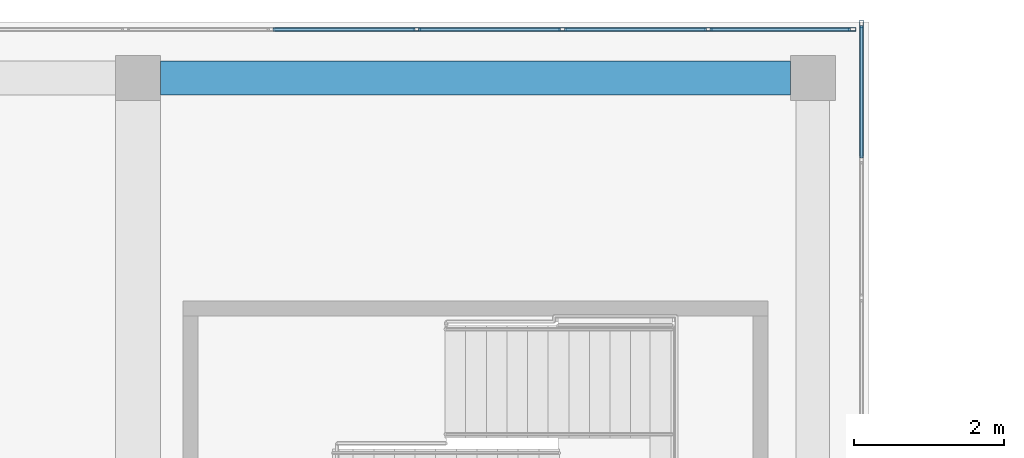
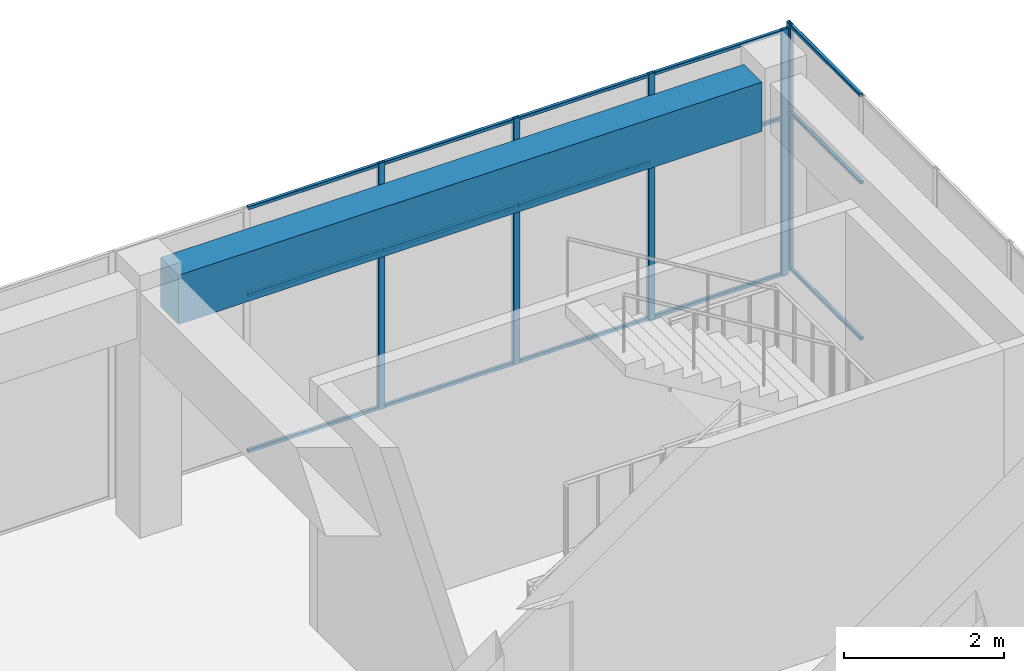
# One storey, part 28 of 35: 20 members, 1 beam, 2 elements without a shape of their own.
"""IFC4 building model written with IfcOpenShell, lengths in metres."""

from ifc_helpers import new_model, si_unit, direction, frame, origin, origin_2d, place, context, subcontext, project, spatial, rectangle, hollow_rectangle, extrude, material, layer, layer_set, material_profile, profile_set, type_object, element, aggregate, save


model = new_model("IFC4")

# Units and contexts
model_context = context("Model", 3, precision=1e-05, world=origin(), true_north=direction((0.0, 1.0)))
body_context = subcontext(model_context, "Body", "Model", "MODEL_VIEW")
ifc_project = project(units=[si_unit("LENGTHUNIT", "METRE"), si_unit("AREAUNIT", "SQUARE_METRE"), si_unit("VOLUMEUNIT", "CUBIC_METRE"), si_unit("PLANEANGLEUNIT", "RADIAN"), si_unit("MASSUNIT", "GRAM", prefix="KILO")], contexts=[model_context])

# Site, building, storey
site_placement = place(None, origin())
site = spatial("IfcSite", under=ifc_project, at=site_placement, CompositionType="ELEMENT")
building_placement = place(site_placement, origin())
building = spatial("IfcBuilding", under=site, at=building_placement, Name="Tuart Plaza Theatre", CompositionType="ELEMENT")
storey_placement = place(building_placement, frame((0.0, 0.0, 45.5)))
storey = spatial("IfcBuildingStorey", under=building, at=storey_placement, Name="L11", CompositionType="ELEMENT", Elevation=45.5)

# Beam
ifc_material_1 = material(Name="Concrete N40 (40 MPa)", Category="concrete")
ifc_material_profile_1 = material_profile(ifc_material_1, rectangle(XDim=0.449951171875, YDim=0.75, at=origin_2d()), Name="BEAM 450x750 Concrete N40 (40 MPa)")
ifc_profile_set_1 = profile_set([ifc_material_profile_1], Name="Concrete N40 (40 MPa)")
beam_type = type_object("IfcBeamType", Name="BEAM 450x750 Concrete N40 (40 MPa)", PredefinedType="BEAM", material=ifc_profile_set_1)
beam_placement = place(storey_placement, frame((132.300048828125, 92.0, 3.375), z_axis=(1.0, 0.0, 0.0), x_axis=(0.0, 1.0, 0.0)))
element("IfcBeam", 1, at=beam_placement, inside=storey, type_object=beam_type, Name="RB303", PredefinedType="BEAM", context=body_context, shape_type="SweptSolid", body=[
    extrude(rectangle(XDim=0.449951171875, YDim=0.75, at=origin_2d()), origin(), (0.0, 0.0, 1.0), 8.39990234375),
])

# Curtain wall, member
ifc_material_2 = material(Name="Aluminium and glass", Category="aluminium")
ifc_layer = layer(ifc_material_2, 0.10009765625)
ifc_layer_set = layer_set([ifc_layer], Name="CURTAIN WALL 2000 module")
curtain_wall_type = type_object("IfcCurtainWallType", Name="CURTAIN WALL 2000 module", PredefinedType="NOTDEFINED", material=ifc_layer_set)
curtain_wall_1_placement = place(storey_placement, origin())
curtain_wall_1 = element("IfcCurtainWall", 2, at=curtain_wall_1_placement, inside=storey, type_object=curtain_wall_type, Name="CW104", PredefinedType="NOTDEFINED")
ifc_material_3 = material(Name="Aluminium 6063-T5", Category="aluminium")
ifc_material_profile_2 = material_profile(ifc_material_3, hollow_rectangle(XDim=0.050048828125, YDim=0.10009765625, WallThickness=0.00390625, InnerFilletRadius=0.00390625, OuterFilletRadius=0.008056640625, at=origin_2d()), Name="RHS 100x50x4")
ifc_profile_set_2 = profile_set([ifc_material_profile_2], Name="Aluminium 6063-T5")
member_type_1 = type_object("IfcMemberType", Name="MULLION RHS 100x50x4", PredefinedType="MULLION", material=ifc_profile_set_2)
member_1_placement = place(storey_placement, frame((141.64990234375, 92.72509765625, 0.0), z_axis=(0.0, 0.0, 1.0), x_axis=(-1.0, 0.0, 0.0)))
member_1 = element("IfcMember", 3, at=member_1_placement, type_object=member_type_1, Name="CW104 mullion 6", PredefinedType="MULLION", context=body_context, shape_type="SweptSolid", body=[
    extrude(hollow_rectangle(XDim=0.050048828125, YDim=0.10009765625, WallThickness=0.00390625, InnerFilletRadius=0.00390625, OuterFilletRadius=0.008056640625, at=origin_2d()), origin(), (0.0, 0.0, 1.0), 3.75),
])

# Curtain wall, members
curtain_wall_2_placement = place(storey_placement, origin())
curtain_wall_2 = element("IfcCurtainWall", 4, at=curtain_wall_2_placement, inside=storey, type_object=curtain_wall_type, Name="CW105", PredefinedType="NOTDEFINED")
member_2_placement = place(storey_placement, frame((141.52490234375, 92.64990234375, 0.0), z_axis=(0.0, 0.0, 1.0), x_axis=(0.0, -1.0, 0.0)))
member_2 = element("IfcMember", 5, at=member_2_placement, type_object=member_type_1, Name="CW105 mullion 1", PredefinedType="MULLION", context=body_context, shape_type="SweptSolid", body=[
    extrude(hollow_rectangle(XDim=0.050048828125, YDim=0.10009765625, WallThickness=0.00390625, InnerFilletRadius=0.00390625, OuterFilletRadius=0.008056640625, at=origin_2d()), origin(), (0.0, 0.0, 1.0), 3.75),
])
member_3_placement = place(storey_placement, frame((139.606201171875, 92.64990234375, 0.0), z_axis=(0.0, 0.0, 1.0), x_axis=(0.0, -1.0, 0.0)))
member_3 = element("IfcMember", 6, at=member_3_placement, type_object=member_type_1, Name="CW105 mullion 2", PredefinedType="MULLION", context=body_context, shape_type="SweptSolid", body=[
    extrude(hollow_rectangle(XDim=0.050048828125, YDim=0.10009765625, WallThickness=0.00390625, InnerFilletRadius=0.00390625, OuterFilletRadius=0.008056640625, at=origin_2d()), origin(), (0.0, 0.0, 1.0), 3.75),
])
member_4_placement = place(storey_placement, frame((137.66259765625, 92.64990234375, 0.0), z_axis=(0.0, 0.0, 1.0), x_axis=(0.0, -1.0, 0.0)))
member_4 = element("IfcMember", 7, at=member_4_placement, type_object=member_type_1, Name="CW105 mullion 3", PredefinedType="MULLION", context=body_context, shape_type="SweptSolid", body=[
    extrude(hollow_rectangle(XDim=0.050048828125, YDim=0.10009765625, WallThickness=0.00390625, InnerFilletRadius=0.00390625, OuterFilletRadius=0.008056640625, at=origin_2d()), origin(), (0.0, 0.0, 1.0), 3.75),
])
member_5_placement = place(storey_placement, frame((135.71875, 92.64990234375, 0.0), z_axis=(0.0, 0.0, 1.0), x_axis=(0.0, -1.0, 0.0)))
member_5 = element("IfcMember", 8, at=member_5_placement, type_object=member_type_1, Name="CW105 mullion 4", PredefinedType="MULLION", context=body_context, shape_type="SweptSolid", body=[
    extrude(hollow_rectangle(XDim=0.050048828125, YDim=0.10009765625, WallThickness=0.00390625, InnerFilletRadius=0.00390625, OuterFilletRadius=0.008056640625, at=origin_2d()), origin(), (0.0, 0.0, 1.0), 3.75),
])

# Member
ifc_material_4 = material(Name="Aluminium 6063-T5", Category="aluminium")
ifc_material_profile_3 = material_profile(ifc_material_4, hollow_rectangle(XDim=0.050048828125, YDim=0.050048828125, WallThickness=0.00390625, InnerFilletRadius=0.00390625, OuterFilletRadius=0.008056640625, at=origin_2d()), Name="RHS 50x50x4")
ifc_profile_set_3 = profile_set([ifc_material_profile_3], Name="Aluminium 6063-T5")
member_type_2 = type_object("IfcMemberType", Name="TRANSOM RHS 50x50x4", PredefinedType="USERDEFINED", material=ifc_profile_set_3)
member_6_placement = place(storey_placement, frame((141.64990234375, 90.93505859375, 0.02490234375), z_axis=(0.0, 1.0, 0.0), x_axis=(-1.0, 0.0, 0.0)))
member_6 = element("IfcMember", 9, at=member_6_placement, type_object=member_type_2, Name="CW104 transom 5.1", ObjectType="TRANSOM", PredefinedType="USERDEFINED", context=body_context, shape_type="SweptSolid", body=[
    extrude(hollow_rectangle(XDim=0.050048828125, YDim=0.050048828125, WallThickness=0.00390625, InnerFilletRadius=0.00390625, OuterFilletRadius=0.008056640625, at=origin_2d()), origin(), (0.0, 0.0, 1.0), 1.764892578125),
])

member_7_placement = place(storey_placement, frame((141.64990234375, 90.93505859375, 2.39990234375), z_axis=(0.0, 1.0, 0.0), x_axis=(-1.0, 0.0, 0.0)))
member_7 = element("IfcMember", 10, at=member_7_placement, type_object=member_type_2, Name="CW104 transom 5.2", ObjectType="TRANSOM", PredefinedType="USERDEFINED", context=body_context, shape_type="SweptSolid", body=[
    extrude(hollow_rectangle(XDim=0.050048828125, YDim=0.050048828125, WallThickness=0.00390625, InnerFilletRadius=0.00390625, OuterFilletRadius=0.008056640625, at=origin_2d()), origin(), (0.0, 0.0, 1.0), 1.764892578125),
])

member_8_placement = place(storey_placement, frame((141.64990234375, 90.93505859375, 3.72509765625), z_axis=(0.0, 1.0, 0.0), x_axis=(-1.0, 0.0, 0.0)))
member_8 = element("IfcMember", 11, at=member_8_placement, type_object=member_type_2, Name="CW104 transom 5.3", ObjectType="TRANSOM", PredefinedType="USERDEFINED", context=body_context, shape_type="SweptSolid", body=[
    extrude(hollow_rectangle(XDim=0.050048828125, YDim=0.050048828125, WallThickness=0.00390625, InnerFilletRadius=0.00390625, OuterFilletRadius=0.008056640625, at=origin_2d()), origin(), (0.0, 0.0, 1.0), 1.764892578125),
])

aggregate(curtain_wall_1, [member_1, member_6, member_7, member_8])

member_9_placement = place(storey_placement, frame((141.5, 92.64990234375, 0.02490234375), z_axis=(-1.0, 0.0, 0.0), x_axis=(0.0, -1.0, 0.0)))
member_9 = element("IfcMember", 12, at=member_9_placement, type_object=member_type_2, Name="CW105 transom 1.1", ObjectType="TRANSOM", PredefinedType="USERDEFINED", context=body_context, shape_type="SweptSolid", body=[
    extrude(hollow_rectangle(XDim=0.050048828125, YDim=0.050048828125, WallThickness=0.00390625, InnerFilletRadius=0.00390625, OuterFilletRadius=0.008056640625, at=origin_2d()), origin(), (0.0, 0.0, 1.0), 1.86865234375),
])

member_10_placement = place(storey_placement, frame((141.5, 92.64990234375, 2.39990234375), z_axis=(-1.0, 0.0, 0.0), x_axis=(0.0, -1.0, 0.0)))
member_10 = element("IfcMember", 13, at=member_10_placement, type_object=member_type_2, Name="CW105 transom 1.2", ObjectType="TRANSOM", PredefinedType="USERDEFINED", context=body_context, shape_type="SweptSolid", body=[
    extrude(hollow_rectangle(XDim=0.050048828125, YDim=0.050048828125, WallThickness=0.00390625, InnerFilletRadius=0.00390625, OuterFilletRadius=0.008056640625, at=origin_2d()), origin(), (0.0, 0.0, 1.0), 1.86865234375),
])

member_11_placement = place(storey_placement, frame((141.5, 92.64990234375, 3.72509765625), z_axis=(-1.0, 0.0, 0.0), x_axis=(0.0, -1.0, 0.0)))
member_11 = element("IfcMember", 14, at=member_11_placement, type_object=member_type_2, Name="CW105 transom 1.3", ObjectType="TRANSOM", PredefinedType="USERDEFINED", context=body_context, shape_type="SweptSolid", body=[
    extrude(hollow_rectangle(XDim=0.050048828125, YDim=0.050048828125, WallThickness=0.00390625, InnerFilletRadius=0.00390625, OuterFilletRadius=0.008056640625, at=origin_2d()), origin(), (0.0, 0.0, 1.0), 1.86865234375),
])

member_12_placement = place(storey_placement, frame((139.581298828125, 92.64990234375, 0.02490234375), z_axis=(-1.0, 0.0, 0.0), x_axis=(0.0, -1.0, 0.0)))
member_12 = element("IfcMember", 15, at=member_12_placement, type_object=member_type_2, Name="CW105 transom 2.1", ObjectType="TRANSOM", PredefinedType="USERDEFINED", context=body_context, shape_type="SweptSolid", body=[
    extrude(hollow_rectangle(XDim=0.050048828125, YDim=0.050048828125, WallThickness=0.00390625, InnerFilletRadius=0.00390625, OuterFilletRadius=0.008056640625, at=origin_2d()), origin(), (0.0, 0.0, 1.0), 1.893798828125),
])

member_13_placement = place(storey_placement, frame((139.581298828125, 92.64990234375, 2.39990234375), z_axis=(-1.0, 0.0, 0.0), x_axis=(0.0, -1.0, 0.0)))
member_13 = element("IfcMember", 16, at=member_13_placement, type_object=member_type_2, Name="CW105 transom 2.2", ObjectType="TRANSOM", PredefinedType="USERDEFINED", context=body_context, shape_type="SweptSolid", body=[
    extrude(hollow_rectangle(XDim=0.050048828125, YDim=0.050048828125, WallThickness=0.00390625, InnerFilletRadius=0.00390625, OuterFilletRadius=0.008056640625, at=origin_2d()), origin(), (0.0, 0.0, 1.0), 1.893798828125),
])

member_14_placement = place(storey_placement, frame((139.581298828125, 92.64990234375, 3.72509765625), z_axis=(-1.0, 0.0, 0.0), x_axis=(0.0, -1.0, 0.0)))
member_14 = element("IfcMember", 17, at=member_14_placement, type_object=member_type_2, Name="CW105 transom 2.3", ObjectType="TRANSOM", PredefinedType="USERDEFINED", context=body_context, shape_type="SweptSolid", body=[
    extrude(hollow_rectangle(XDim=0.050048828125, YDim=0.050048828125, WallThickness=0.00390625, InnerFilletRadius=0.00390625, OuterFilletRadius=0.008056640625, at=origin_2d()), origin(), (0.0, 0.0, 1.0), 1.893798828125),
])

member_15_placement = place(storey_placement, frame((137.637451171875, 92.64990234375, 0.02490234375), z_axis=(-1.0, 0.0, 0.0), x_axis=(0.0, -1.0, 0.0)))
member_15 = element("IfcMember", 18, at=member_15_placement, type_object=member_type_2, Name="CW105 transom 3.1", ObjectType="TRANSOM", PredefinedType="USERDEFINED", context=body_context, shape_type="SweptSolid", body=[
    extrude(hollow_rectangle(XDim=0.050048828125, YDim=0.050048828125, WallThickness=0.00390625, InnerFilletRadius=0.00390625, OuterFilletRadius=0.008056640625, at=origin_2d()), origin(), (0.0, 0.0, 1.0), 1.893798828125),
])

member_16_placement = place(storey_placement, frame((137.637451171875, 92.64990234375, 2.39990234375), z_axis=(-1.0, 0.0, 0.0), x_axis=(0.0, -1.0, 0.0)))
member_16 = element("IfcMember", 19, at=member_16_placement, type_object=member_type_2, Name="CW105 transom 3.2", ObjectType="TRANSOM", PredefinedType="USERDEFINED", context=body_context, shape_type="SweptSolid", body=[
    extrude(hollow_rectangle(XDim=0.050048828125, YDim=0.050048828125, WallThickness=0.00390625, InnerFilletRadius=0.00390625, OuterFilletRadius=0.008056640625, at=origin_2d()), origin(), (0.0, 0.0, 1.0), 1.893798828125),
])

member_17_placement = place(storey_placement, frame((137.637451171875, 92.64990234375, 3.72509765625), z_axis=(-1.0, 0.0, 0.0), x_axis=(0.0, -1.0, 0.0)))
member_17 = element("IfcMember", 20, at=member_17_placement, type_object=member_type_2, Name="CW105 transom 3.3", ObjectType="TRANSOM", PredefinedType="USERDEFINED", context=body_context, shape_type="SweptSolid", body=[
    extrude(hollow_rectangle(XDim=0.050048828125, YDim=0.050048828125, WallThickness=0.00390625, InnerFilletRadius=0.00390625, OuterFilletRadius=0.008056640625, at=origin_2d()), origin(), (0.0, 0.0, 1.0), 1.893798828125),
])

member_18_placement = place(storey_placement, frame((135.69384765625, 92.64990234375, 0.02490234375), z_axis=(-1.0, 0.0, 0.0), x_axis=(0.0, -1.0, 0.0)))
member_18 = element("IfcMember", 21, at=member_18_placement, type_object=member_type_2, Name="CW105 transom 4.1", ObjectType="TRANSOM", PredefinedType="USERDEFINED", context=body_context, shape_type="SweptSolid", body=[
    extrude(hollow_rectangle(XDim=0.050048828125, YDim=0.050048828125, WallThickness=0.00390625, InnerFilletRadius=0.00390625, OuterFilletRadius=0.008056640625, at=origin_2d()), origin(), (0.0, 0.0, 1.0), 1.893798828125),
])

member_19_placement = place(storey_placement, frame((135.69384765625, 92.64990234375, 2.39990234375), z_axis=(-1.0, 0.0, 0.0), x_axis=(0.0, -1.0, 0.0)))
member_19 = element("IfcMember", 22, at=member_19_placement, type_object=member_type_2, Name="CW105 transom 4.2", ObjectType="TRANSOM", PredefinedType="USERDEFINED", context=body_context, shape_type="SweptSolid", body=[
    extrude(hollow_rectangle(XDim=0.050048828125, YDim=0.050048828125, WallThickness=0.00390625, InnerFilletRadius=0.00390625, OuterFilletRadius=0.008056640625, at=origin_2d()), origin(), (0.0, 0.0, 1.0), 1.893798828125),
])

member_20_placement = place(storey_placement, frame((135.69384765625, 92.64990234375, 3.72509765625), z_axis=(-1.0, 0.0, 0.0), x_axis=(0.0, -1.0, 0.0)))
member_20 = element("IfcMember", 23, at=member_20_placement, type_object=member_type_2, Name="CW105 transom 4.3", ObjectType="TRANSOM", PredefinedType="USERDEFINED", context=body_context, shape_type="SweptSolid", body=[
    extrude(hollow_rectangle(XDim=0.050048828125, YDim=0.050048828125, WallThickness=0.00390625, InnerFilletRadius=0.00390625, OuterFilletRadius=0.008056640625, at=origin_2d()), origin(), (0.0, 0.0, 1.0), 1.893798828125),
])

aggregate(curtain_wall_2, [member_2, member_3, member_4, member_5, member_9, member_10, member_11, member_12, member_13, member_14, member_15, member_16, member_17, member_18, member_19, member_20])

save(model, "model.ifc")
